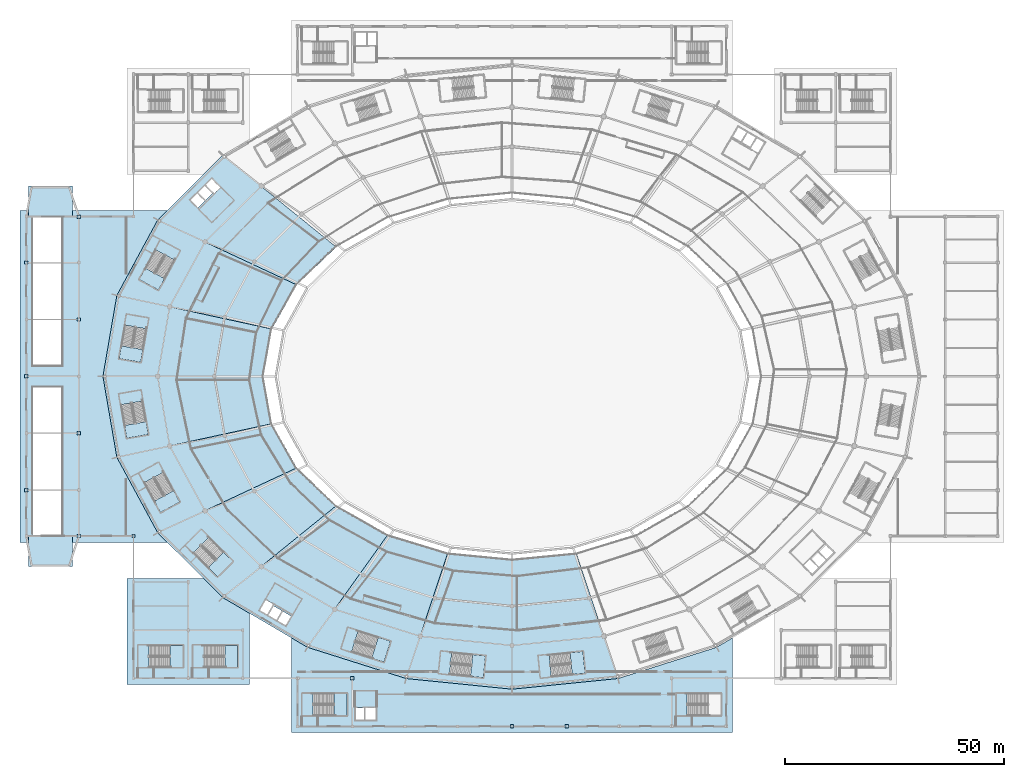
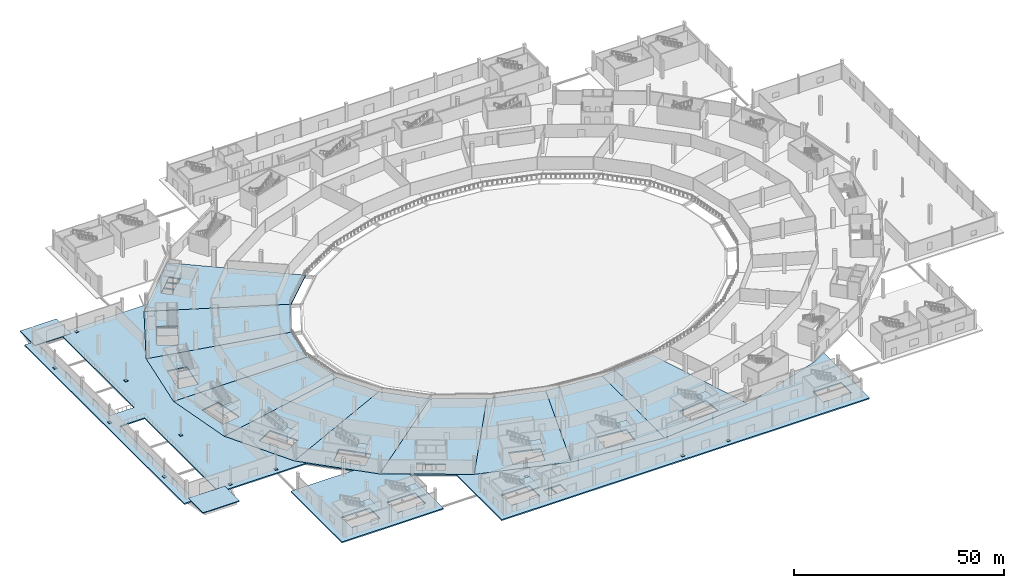
# One storey, part 28 of 82: 26 slabs, 11 plates, 11 elements without a shape of their own.
"""IFC4 building model written with IfcOpenShell, lengths in metres."""

from ifc_helpers import new_model, si_unit, direction, frame, origin, origin_2d, place, context, subcontext, project, spatial, polyline, rectangle, outline, extrude, material, layer, layer_set, type_object, element, aggregate, save


model = new_model("IFC4")

# Units and contexts
model_context = context("Model", 3, precision=1e-05, world=origin(), true_north=direction((0.0, 1.0)))
body_context = subcontext(model_context, "Body", "Model", "MODEL_VIEW")
ifc_project = project(units=[si_unit("LENGTHUNIT", "METRE"), si_unit("AREAUNIT", "SQUARE_METRE"), si_unit("VOLUMEUNIT", "CUBIC_METRE"), si_unit("PLANEANGLEUNIT", "RADIAN"), si_unit("MASSUNIT", "GRAM", prefix="KILO")], contexts=[model_context])

# Site, building, storey
site_placement = place(None, origin())
site = spatial("IfcSite", under=ifc_project, at=site_placement, CompositionType="ELEMENT")
building_placement = place(site_placement, origin())
building = spatial("IfcBuilding", under=site, at=building_placement, Name="Zlatoyarsky Gate Stadium", CompositionType="ELEMENT")
storey_placement = place(building_placement, origin())
storey = spatial("IfcBuildingStorey", under=building, at=storey_placement, Name="L00", CompositionType="ELEMENT", Elevation=0.0)

# Slabs
ifc_material_1 = material(Name="Concrete C35/45", Category="concrete")
ifc_layer_1 = layer(ifc_material_1, 0.239990234375)
ifc_layer_set_1 = layer_set([ifc_layer_1], Name="Concrete C35/45")
slab_type_1 = type_object("IfcSlabType", Name="CONCRETE APPROACH APRON SLAB 240", PredefinedType="BASESLAB", material=ifc_layer_set_1)
slab_1_placement = place(storey_placement, frame((0.0, 0.0, -0.239990234375)))
element("IfcSlab", 1, at=slab_1_placement, inside=storey, type_object=slab_type_1, Name="L00 vehicle ramp approach apron VR01", PredefinedType="BASESLAB", context=body_context, shape_type="SweptSolid", body=[
    extrude(outline(polyline([(0.5, 36.5), (10.5, 36.5), (10.5, 43.5), (0.5, 43.5), (0.5, 36.5)])), origin(), (0.0, 0.0, 1.0), 0.239990234375),
])
slab_2_placement = place(storey_placement, frame((0.0, 0.0, -0.239990234375)))
element("IfcSlab", 2, at=slab_2_placement, inside=storey, type_object=slab_type_1, Name="L00 vehicle ramp approach apron VR02", PredefinedType="BASESLAB", context=body_context, shape_type="SweptSolid", body=[
    extrude(outline(polyline([(0.5, 116.5), (10.5, 116.5), (10.5, 123.5), (0.5, 123.5), (0.5, 116.5)])), origin(), (0.0, 0.0, 1.0), 0.239990234375),
])
ifc_material_2 = material(Name="Concrete C40/50", Category="concrete")
ifc_layer_2 = layer(ifc_material_2, 0.35009765625)
ifc_layer_set_2 = layer_set([ifc_layer_2], Name="Concrete C40/50")
slab_type_2 = type_object("IfcSlabType", Name="CONCRETE GROUND EVENT SLAB 350", PredefinedType="FLOOR", material=ifc_layer_set_2)
slab_3_placement = place(storey_placement, frame((0.0, 0.0, -0.35009765625)))
element("IfcSlab", 3, at=slab_3_placement, inside=storey, type_object=slab_type_2, Name="L00 bowl sector 09 slab", PredefinedType="FLOOR", context=body_context, shape_type="SweptSolid", body=[
    extrude(outline(polyline([(61.809814453125, 100.89990234375), (30.026611328125, 115.75), (44.885498046875, 130.55810546875), (70.836181640625, 109.55712890625), (61.809814453125, 100.89990234375)]), holes=[polyline([(40.7880859375, 120.0986328125), (39.02490234375, 121.870849609375), (37.46533203125, 120.319091796875), (39.228759765625, 118.547119140625), (40.7880859375, 120.0986328125)]), polyline([(40.76171875, 123.598876953125), (39.2021484375, 122.047119140625), (40.965576171875, 120.27490234375), (42.52490234375, 121.82666015625), (40.76171875, 123.598876953125)]), polyline([(44.331787109375, 123.200927734375), (42.356689453125, 125.185791015625), (40.93896484375, 123.775146484375), (42.913818359375, 121.790283203125), (44.331787109375, 123.200927734375)])]), origin(), (0.0, 0.0, 1.0), 0.35009765625),
])
slab_4_placement = place(storey_placement, frame((0.0, 0.0, -0.35009765625)))
element("IfcSlab", 4, at=slab_4_placement, inside=storey, type_object=slab_type_2, Name="L00 bowl sector 10 slab", PredefinedType="FLOOR", context=body_context, shape_type="SweptSolid", body=[
    extrude(outline(polyline([(56.135498046875, 90.818603515625), (20.685791015625, 98.505615234375), (30.026611328125, 115.75), (61.809814453125, 100.89990234375), (56.135498046875, 90.818603515625)]), holes=[polyline([(33.891845703125, 106.561279296875), (29.4970703125, 108.94580078125), (25.80126953125, 102.1337890625), (30.196044921875, 99.749267578125), (33.891845703125, 106.561279296875)])]), origin(), (0.0, 0.0, 1.0), 0.35009765625),
])
slab_5_placement = place(storey_placement, frame((0.0, 0.0, -0.35009765625)))
element("IfcSlab", 5, at=slab_5_placement, inside=storey, type_object=slab_type_2, Name="L00 bowl sector 11 slab", PredefinedType="FLOOR", context=body_context, shape_type="SweptSolid", body=[
    extrude(outline(polyline([(54.199951171875, 80.0), (17.5, 80.0), (20.685791015625, 98.505615234375), (56.135498046875, 90.818603515625), (54.199951171875, 80.0)]), holes=[polyline([(27.452392578125, 90.8583984375), (22.525390625, 91.7080078125), (21.208251953125, 84.07080078125), (26.135498046875, 83.22119140625), (27.452392578125, 90.8583984375)])]), origin(), (0.0, 0.0, 1.0), 0.35009765625),
])
slab_6_placement = place(storey_placement, frame((0.0, 0.0, -0.35009765625)))
element("IfcSlab", 6, at=slab_6_placement, inside=storey, type_object=slab_type_2, Name="L00 bowl sector 12 slab", PredefinedType="FLOOR", context=body_context, shape_type="SweptSolid", body=[
    extrude(outline(polyline([(56.135498046875, 69.181396484375), (20.685791015625, 61.494384765625), (17.5, 80.0), (54.199951171875, 80.0), (56.135498046875, 69.181396484375)]), holes=[polyline([(26.552001953125, 74.364501953125), (21.62451171875, 73.514892578125), (22.941650390625, 65.877685546875), (27.868896484375, 66.727294921875), (26.552001953125, 74.364501953125)])]), origin(), (0.0, 0.0, 1.0), 0.35009765625),
])
slab_7_placement = place(storey_placement, frame((0.0, 0.0, -0.35009765625)))
element("IfcSlab", 7, at=slab_7_placement, inside=storey, type_object=slab_type_2, Name="L00 bowl sector 13 slab", PredefinedType="FLOOR", context=body_context, shape_type="SweptSolid", body=[
    extrude(outline(polyline([(61.809814453125, 59.10009765625), (30.026611328125, 44.25), (20.685791015625, 61.494384765625), (56.135498046875, 69.181396484375), (61.809814453125, 59.10009765625)]), holes=[polyline([(31.364501953125, 58.09716796875), (26.969482421875, 55.712646484375), (30.66552734375, 48.90087890625), (35.060302734375, 51.28515625), (31.364501953125, 58.09716796875)])]), origin(), (0.0, 0.0, 1.0), 0.35009765625),
])
slab_8_placement = place(storey_placement, frame((0.0, 0.0, -0.35009765625)))
element("IfcSlab", 8, at=slab_8_placement, inside=storey, type_object=slab_type_2, Name="L00 bowl sector 14 slab", PredefinedType="FLOOR", context=body_context, shape_type="SweptSolid", body=[
    extrude(outline(polyline([(70.836181640625, 50.44287109375), (44.885498046875, 29.44189453125), (30.026611328125, 44.25), (61.809814453125, 59.10009765625), (70.836181640625, 50.44287109375)]), holes=[polyline([(41.6982421875, 43.197265625), (38.171875, 39.652587890625), (43.665771484375, 34.1865234375), (47.1923828125, 37.731201171875), (41.6982421875, 43.197265625)])]), origin(), (0.0, 0.0, 1.0), 0.35009765625),
])
slab_9_placement = place(storey_placement, frame((0.0, 0.0, -0.35009765625)))
element("IfcSlab", 9, at=slab_9_placement, inside=storey, type_object=slab_type_2, Name="L00 bowl sector 15 slab", PredefinedType="FLOOR", context=body_context, shape_type="SweptSolid", body=[
    extrude(outline(polyline([(82.60009765625, 43.800048828125), (64.25, 18.0791015625), (44.885498046875, 29.44189453125), (70.836181640625, 50.44287109375), (82.60009765625, 43.800048828125)]), holes=[polyline([(56.516357421875, 27.53369140625), (55.252685546875, 25.376708984375), (57.15087890625, 24.2646484375), (58.41455078125, 26.421875), (56.516357421875, 27.53369140625)]), polyline([(53.311279296875, 26.513916015625), (55.037109375, 25.5029296875), (56.452392578125, 27.9189453125), (54.7265625, 28.929931640625), (53.311279296875, 26.513916015625)]), polyline([(57.36669921875, 24.13818359375), (59.264892578125, 23.0263671875), (60.528564453125, 25.183349609375), (58.63037109375, 26.29541015625), (57.36669921875, 24.13818359375)])]), origin(), (0.0, 0.0, 1.0), 0.35009765625),
])
slab_10_placement = place(storey_placement, frame((0.0, 0.0, -0.35009765625)))
element("IfcSlab", 10, at=slab_10_placement, inside=storey, type_object=slab_type_2, Name="L00 bowl sector 16 slab", PredefinedType="FLOOR", context=body_context, shape_type="SweptSolid", body=[
    extrude(outline(polyline([(96.299072265625, 39.624267578125), (86.80029296875, 10.936279296875), (64.25, 18.0791015625), (82.60009765625, 43.800048828125), (96.299072265625, 39.624267578125)]), holes=[polyline([(75.854248046875, 21.802978515625), (74.3466796875, 17.035888671875), (81.736083984375, 14.69921875), (83.24365234375, 19.46630859375), (75.854248046875, 21.802978515625)])]), origin(), (0.0, 0.0, 1.0), 0.35009765625),
])
slab_11_placement = place(storey_placement, frame((0.0, 0.0, -0.35009765625)))
element("IfcSlab", 11, at=slab_11_placement, inside=storey, type_object=slab_type_2, Name="L00 bowl sector 17 slab", PredefinedType="FLOOR", context=body_context, shape_type="SweptSolid", body=[
    extrude(outline(polyline([(111.0, 38.199951171875), (111.0, 8.5), (86.80029296875, 10.936279296875), (96.299072265625, 39.624267578125), (111.0, 38.199951171875)]), holes=[polyline([(97.23046875, 16.884033203125), (96.73046875, 11.9091796875), (104.441650390625, 11.134033203125), (104.941650390625, 16.109130859375), (97.23046875, 16.884033203125)])]), origin(), (0.0, 0.0, 1.0), 0.35009765625),
])
slab_12_placement = place(storey_placement, frame((0.0, 0.0, -0.35009765625)))
element("IfcSlab", 12, at=slab_12_placement, inside=storey, type_object=slab_type_2, Name="L00 bowl sector 18 slab", PredefinedType="FLOOR", context=body_context, shape_type="SweptSolid", body=[
    extrude(outline(polyline([(125.700927734375, 39.624267578125), (135.19970703125, 10.936279296875), (111.0, 8.5), (111.0, 38.199951171875), (125.700927734375, 39.624267578125)]), holes=[polyline([(119.49609375, 16.35400390625), (119.99609375, 11.379150390625), (127.707275390625, 12.154296875), (127.207275390625, 17.129150390625), (119.49609375, 16.35400390625)])]), origin(), (0.0, 0.0, 1.0), 0.35009765625),
])
slab_13_placement = place(storey_placement, frame((0.0, 0.0, -0.35009765625)))
element("IfcSlab", 13, at=slab_13_placement, inside=storey, type_object=slab_type_2, Name="L00 wing V3_SOUTH slab", PredefinedType="FLOOR", context=body_context, shape_type="SweptSolid", body=[
    extrude(outline(polyline([(60.550048828125, 20.250244140625), (64.25, 18.0791015625), (86.80029296875, 10.936279296875), (111.0, 8.5), (135.19970703125, 10.936279296875), (157.75, 18.0791015625), (161.449951171875, 20.250244140625), (161.449951171875, -1.449951171875), (60.550048828125, -1.449951171875), (60.550048828125, 20.250244140625)]), holes=[polyline([(75.25, 1.449951171875), (77.25, 1.449951171875), (77.25, 4.25), (75.25, 4.25), (75.25, 1.449951171875)]), polyline([(79.89990234375, 1.449951171875), (79.89990234375, 4.25), (77.5, 4.25), (77.5, 1.449951171875), (79.89990234375, 1.449951171875)]), polyline([(65.550048828125, 2.5), (73.300048828125, 2.5), (73.300048828125, 7.5), (65.550048828125, 7.5), (65.550048828125, 2.5)]), polyline([(151.050048828125, 2.5), (158.800048828125, 2.5), (158.800048828125, 7.5), (151.050048828125, 7.5), (151.050048828125, 2.5)])]), origin(), (0.0, 0.0, 1.0), 0.35009765625),
])
slab_14_placement = place(storey_placement, frame((0.0, 0.0, -0.35009765625)))
element("IfcSlab", 14, at=slab_14_placement, inside=storey, type_object=slab_type_2, Name="L00 wing V4_WEST slab", PredefinedType="FLOOR", context=body_context, shape_type="SweptSolid", body=[
    extrude(outline(polyline([(0.5, 117.949951171875), (0.5, 116.5), (1.449951171875, 116.5), (1.449951171875, 82.5), (8.14990234375, 82.5), (8.14990234375, 116.5), (10.5, 116.5), (10.5, 117.949951171875), (32.234130859375, 117.949951171875), (30.026611328125, 115.75), (20.685791015625, 98.505615234375), (17.5, 80.0), (20.685791015625, 61.494384765625), (30.026611328125, 44.25), (32.234130859375, 42.050048828125), (10.5, 42.050048828125), (10.5, 43.5), (8.14990234375, 43.5), (8.14990234375, 77.5), (1.449951171875, 77.5), (1.449951171875, 43.5), (0.5, 43.5), (0.5, 42.050048828125), (-1.449951171875, 42.050048828125), (-1.449951171875, 117.949951171875), (0.5, 117.949951171875)])), origin(), (0.0, 0.0, 1.0), 0.35009765625),
])
slab_15_placement = place(storey_placement, frame((0.0, 0.0, -0.35009765625)))
element("IfcSlab", 15, at=slab_15_placement, inside=storey, type_object=slab_type_2, Name="L00 wing V6_SW slab", PredefinedType="FLOOR", context=body_context, shape_type="SweptSolid", body=[
    extrude(outline(polyline([(23.050048828125, 33.85009765625), (40.46240234375, 33.85009765625), (44.885498046875, 29.44189453125), (50.949951171875, 25.88330078125), (50.949951171875, 9.550048828125), (23.050048828125, 9.550048828125), (23.050048828125, 33.85009765625)]), holes=[polyline([(35.800048828125, 13.5), (35.800048828125, 18.5), (28.050048828125, 18.5), (28.050048828125, 13.5), (35.800048828125, 13.5)]), polyline([(40.550048828125, 13.5), (48.300048828125, 13.5), (48.300048828125, 18.5), (40.550048828125, 18.5), (40.550048828125, 13.5)])]), origin(), (0.0, 0.0, 1.0), 0.35009765625),
])

# Stair, slab
stair_type = type_object("IfcStairType", Name="CONCRETE DOGLEG EXIT STAIR H5400", PredefinedType="TWO_STRAIGHT_RUN_STAIR", material=ifc_material_2)
stair_1_placement = place(storey_placement, origin())
stair_1 = element("IfcStair", 16, at=stair_1_placement, inside=storey, type_object=stair_type, Name="L00 Exit Stair ST-06", PredefinedType="TWO_STRAIGHT_RUN_STAIR")
ifc_layer_3 = layer(ifc_material_2, 0.199951171875)
ifc_layer_set_3 = layer_set([ifc_layer_3], Name="Concrete C40/50")
slab_type_3 = type_object("IfcSlabType", Name="CONCRETE STAIR LANDING SLAB 200", PredefinedType="LANDING", material=ifc_layer_set_3)
slab_16_placement = place(storey_placement, frame((0.0, 0.0, 2.5)))
slab_16 = element("IfcSlab", 17, at=slab_16_placement, type_object=slab_type_3, Name="ST-DG54 landing 1", PredefinedType="LANDING", context=body_context, shape_type="SweptSolid", body=[
    extrude(outline(polyline([(27.2080078125, 104.726806640625), (25.80126953125, 102.1337890625), (30.196044921875, 99.749267578125), (31.602783203125, 102.34228515625), (27.2080078125, 104.726806640625)])), origin(), (0.0, 0.0, 1.0), 0.199951171875),
])
aggregate(stair_1, [slab_16])

stair_2_placement = place(storey_placement, origin())
stair_2 = element("IfcStair", 18, at=stair_2_placement, inside=storey, type_object=stair_type, Name="L00 Exit Stair ST-07", PredefinedType="TWO_STRAIGHT_RUN_STAIR")
slab_17_placement = place(storey_placement, frame((0.0, 0.0, 2.5)))
slab_17 = element("IfcSlab", 19, at=slab_17_placement, type_object=slab_type_3, Name="ST-DG54 landing 1", PredefinedType="LANDING", context=body_context, shape_type="SweptSolid", body=[
    extrude(outline(polyline([(22.4404296875, 68.78466796875), (22.941650390625, 65.87744140625), (27.868896484375, 66.727294921875), (27.36767578125, 69.63427734375), (22.4404296875, 68.78466796875)])), origin(), (0.0, 0.0, 1.0), 0.199951171875),
])
aggregate(stair_2, [slab_17])

stair_3_placement = place(storey_placement, origin())
stair_3 = element("IfcStair", 20, at=stair_3_placement, inside=storey, type_object=stair_type, Name="L00 Exit Stair ST-08", PredefinedType="TWO_STRAIGHT_RUN_STAIR")
slab_18_placement = place(storey_placement, frame((0.0, 0.0, 2.5)))
slab_18 = element("IfcSlab", 21, at=slab_18_placement, type_object=slab_type_3, Name="ST-DG54 landing 1", PredefinedType="LANDING", context=body_context, shape_type="SweptSolid", body=[
    extrude(outline(polyline([(41.574462890625, 36.267333984375), (43.665771484375, 34.1865234375), (47.1923828125, 37.73095703125), (45.10107421875, 39.811767578125), (41.574462890625, 36.267333984375)])), origin(), (0.0, 0.0, 1.0), 0.199951171875),
])
aggregate(stair_3, [slab_18])

stair_4_placement = place(storey_placement, origin())
stair_4 = element("IfcStair", 22, at=stair_4_placement, inside=storey, type_object=stair_type, Name="L00 Exit Stair ST-09", PredefinedType="TWO_STRAIGHT_RUN_STAIR")
slab_19_placement = place(storey_placement, frame((0.0, 0.0, 2.5)))
slab_19 = element("IfcSlab", 23, at=slab_19_placement, type_object=slab_type_3, Name="ST-DG54 landing 1", PredefinedType="LANDING", context=body_context, shape_type="SweptSolid", body=[
    extrude(outline(polyline([(78.92333984375, 15.588623046875), (81.736083984375, 14.69921875), (83.24365234375, 19.46630859375), (80.430908203125, 20.35595703125), (78.92333984375, 15.588623046875)])), origin(), (0.0, 0.0, 1.0), 0.199951171875),
])
aggregate(stair_4, [slab_19])

stair_5_placement = place(storey_placement, origin())
stair_5 = element("IfcStair", 24, at=stair_5_placement, inside=storey, type_object=stair_type, Name="L00 Exit Stair ST-10", PredefinedType="TWO_STRAIGHT_RUN_STAIR")
slab_20_placement = place(storey_placement, frame((0.0, 0.0, 2.5)))
slab_20 = element("IfcSlab", 25, at=slab_20_placement, type_object=slab_type_3, Name="ST-DG54 landing 1", PredefinedType="LANDING", context=body_context, shape_type="SweptSolid", body=[
    extrude(outline(polyline([(124.77197265625, 11.859130859375), (127.707275390625, 12.154296875), (127.207275390625, 17.129150390625), (124.27197265625, 16.834228515625), (124.77197265625, 11.859130859375)])), origin(), (0.0, 0.0, 1.0), 0.199951171875),
])
aggregate(stair_5, [slab_20])

stair_6_placement = place(storey_placement, origin())
stair_6 = element("IfcStair", 26, at=stair_6_placement, inside=storey, type_object=stair_type, Name="L00 Exit Stair ST-15", PredefinedType="TWO_STRAIGHT_RUN_STAIR")
slab_21_placement = place(storey_placement, frame((0.0, 0.0, 2.5)))
slab_21 = element("IfcSlab", 27, at=slab_21_placement, type_object=slab_type_3, Name="ST-DG54 landing 1", PredefinedType="LANDING", context=body_context, shape_type="SweptSolid", body=[
    extrude(outline(polyline([(29.258544921875, 51.49365234375), (30.66552734375, 48.90087890625), (35.060302734375, 51.28515625), (33.653564453125, 53.878173828125), (29.258544921875, 51.49365234375)])), origin(), (0.0, 0.0, 1.0), 0.199951171875),
])
aggregate(stair_6, [slab_21])

stair_7_placement = place(storey_placement, origin())
stair_7 = element("IfcStair", 28, at=stair_7_placement, inside=storey, type_object=stair_type, Name="L00 Exit Stair ST-18", PredefinedType="TWO_STRAIGHT_RUN_STAIR")
slab_22_placement = place(storey_placement, frame((0.0, 0.0, 2.5)))
slab_22 = element("IfcSlab", 29, at=slab_22_placement, type_object=slab_type_3, Name="ST-DG54 landing 1", PredefinedType="LANDING", context=body_context, shape_type="SweptSolid", body=[
    extrude(outline(polyline([(21.70947265625, 86.977783203125), (21.208251953125, 84.07080078125), (26.135498046875, 83.22119140625), (26.63671875, 86.128173828125), (21.70947265625, 86.977783203125)])), origin(), (0.0, 0.0, 1.0), 0.199951171875),
])
aggregate(stair_7, [slab_22])

stair_8_placement = place(storey_placement, origin())
stair_8 = element("IfcStair", 30, at=stair_8_placement, inside=storey, type_object=stair_type, Name="L00 Exit Stair ST-19", PredefinedType="TWO_STRAIGHT_RUN_STAIR")
slab_23_placement = place(storey_placement, frame((0.0, 0.0, 2.5)))
slab_23 = element("IfcSlab", 31, at=slab_23_placement, type_object=slab_type_3, Name="ST-DG54 landing 1", PredefinedType="LANDING", context=body_context, shape_type="SweptSolid", body=[
    extrude(outline(polyline([(101.50634765625, 11.42919921875), (104.441650390625, 11.134033203125), (104.941650390625, 16.109130859375), (102.00634765625, 16.404052734375), (101.50634765625, 11.42919921875)])), origin(), (0.0, 0.0, 1.0), 0.199951171875),
])
aggregate(stair_8, [slab_23])

stair_9_placement = place(storey_placement, origin())
stair_9 = element("IfcStair", 32, at=stair_9_placement, inside=storey, type_object=stair_type, Name="L00 Exit Stair ST-21", PredefinedType="TWO_STRAIGHT_RUN_STAIR")
slab_24_placement = place(storey_placement, frame((0.0, 0.0, 2.5)))
slab_24 = element("IfcSlab", 33, at=slab_24_placement, type_object=slab_type_3, Name="ST-DG54 landing 1", PredefinedType="LANDING", context=body_context, shape_type="SweptSolid", body=[
    extrude(outline(polyline([(32.85009765625, 13.5), (35.800048828125, 13.5), (35.800048828125, 18.5), (32.85009765625, 18.5), (32.85009765625, 13.5)])), origin(), (0.0, 0.0, 1.0), 0.199951171875),
])
aggregate(stair_9, [slab_24])

stair_10_placement = place(storey_placement, origin())
stair_10 = element("IfcStair", 34, at=stair_10_placement, inside=storey, type_object=stair_type, Name="L00 Exit Stair ST-22", PredefinedType="TWO_STRAIGHT_RUN_STAIR")
slab_25_placement = place(storey_placement, frame((0.0, 0.0, 2.5)))
slab_25 = element("IfcSlab", 35, at=slab_25_placement, type_object=slab_type_3, Name="ST-DG54 landing 1", PredefinedType="LANDING", context=body_context, shape_type="SweptSolid", body=[
    extrude(outline(polyline([(45.35009765625, 13.5), (48.300048828125, 13.5), (48.300048828125, 18.5), (45.35009765625, 18.5), (45.35009765625, 13.5)])), origin(), (0.0, 0.0, 1.0), 0.199951171875),
])
aggregate(stair_10, [slab_25])

stair_11_placement = place(storey_placement, origin())
stair_11 = element("IfcStair", 36, at=stair_11_placement, inside=storey, type_object=stair_type, Name="L00 Exit Stair ST-29", PredefinedType="TWO_STRAIGHT_RUN_STAIR")
slab_26_placement = place(storey_placement, frame((0.0, 0.0, 2.5)))
slab_26 = element("IfcSlab", 37, at=slab_26_placement, type_object=slab_type_3, Name="ST-DG54 landing 1", PredefinedType="LANDING", context=body_context, shape_type="SweptSolid", body=[
    extrude(outline(polyline([(70.35009765625, 2.5), (73.300048828125, 2.5), (73.300048828125, 7.5), (70.35009765625, 7.5), (70.35009765625, 2.5)])), origin(), (0.0, 0.0, 1.0), 0.199951171875),
])
aggregate(stair_11, [slab_26])

# Plates
ifc_material_3 = material(Name="Steel S355", Category="steel")
ifc_layer_4 = layer(ifc_material_3, 0.0400390625)
ifc_layer_set_4 = layer_set([ifc_layer_4], Name="Steel S355")
plate_type = type_object("IfcPlateType", Name="STEEL COLUMN BASE PLATE 40", PredefinedType="USERDEFINED", material=ifc_layer_set_4)
for number, where, z_axis, x_axis, name in (
    (38, (0.0, 54.0, 0.0), (0.0, 0.0, 1.0), (1.0, 0.0, 0.0), "Column base plate BP-01 at WG-1-F L00"),
    (39, (0.0, 80.0, 0.0), (0.0, 0.0, 1.0), (1.0, 0.0, 0.0), "Column base plate BP-01 at WG-1-H L00"),
    (40, (0.0, 106.0, 0.0), (0.0, 0.0, 1.0), (1.0, 0.0, 0.0), "Column base plate BP-01 at WG-1-K L00"),
    (41, (111.0, 0.0, 0.0), (0.0, 0.0, 1.0), (1.0, 0.0, 0.0), "Column base plate BP-01 at WG-10-A L00"),
    (42, (123.5, 0.0, 0.0), (0.0, 0.0, 1.0), (1.0, 0.0, 0.0), "Column base plate BP-01 at WG-11-A L00"),
    (43, (12.0, 43.5, 0.0), (0.0, 0.0, 1.0), (1.0, 0.0, 0.0), "Column base plate BP-01 at WG-2-E L00"),
    (44, (12.0, 67.0, 0.0), (0.0, 0.0, 1.0), (1.0, 0.0, 0.0), "Column base plate BP-01 at WG-2-G L00"),
    (45, (12.0, 93.0, 0.0), (0.0, 0.0, 1.0), (1.0, 0.0, 0.0), "Column base plate BP-01 at WG-2-J L00"),
    (46, (12.0, 116.5, 0.0), (0.0, 0.0, 1.0), (1.0, 0.0, 0.0), "Column base plate BP-01 at WG-2-L L00"),
    (47, (24.5, 43.5, 0.0), (0.0, 0.0, 1.0), (1.0, 0.0, 0.0), "Column base plate BP-01 at WG-3-E L00"),
    (48, (74.5, 11.0, 0.0), (0.0, 0.0, 1.0), (1.0, 0.0, 0.0), "Column base plate BP-01 at WG-7-B L00"),
):
    element("IfcPlate", number, at=place(storey_placement, frame(where, z_axis=z_axis, x_axis=x_axis)), inside=storey, type_object=plate_type, Name=name, ObjectType="BASE PLATE", PredefinedType="USERDEFINED", context=body_context, shape_type="SweptSolid", body=[
        extrude(rectangle(XDim=0.75, YDim=0.75, at=origin_2d()), origin(), (0.0, 0.0, 1.0), 0.0400390625),
    ])

save(model, "model.ifc")
